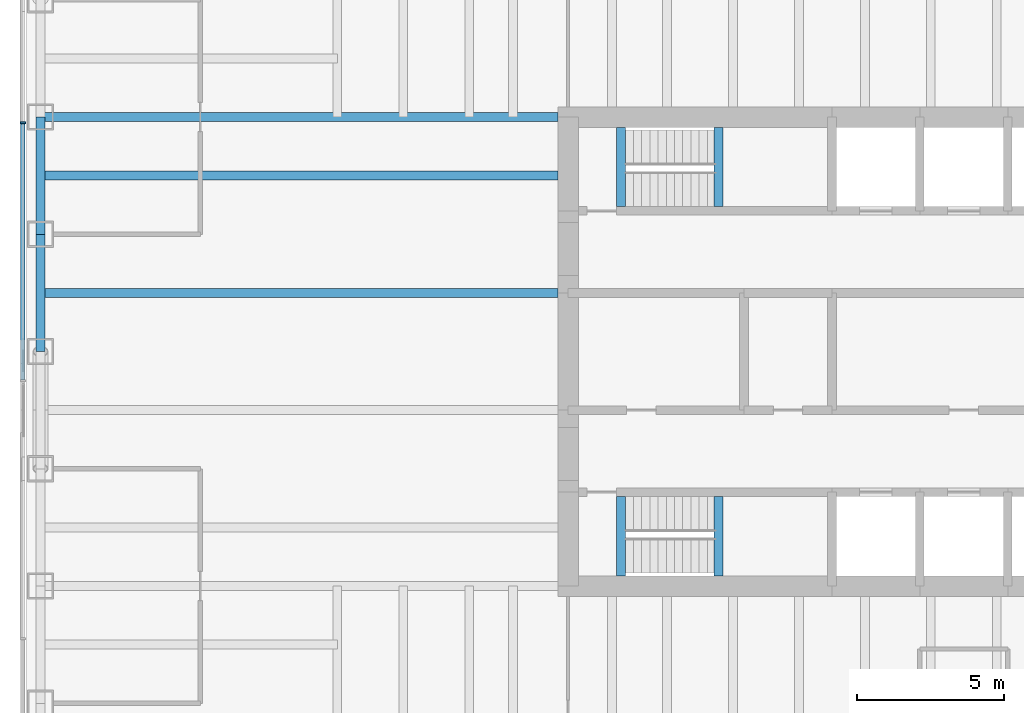
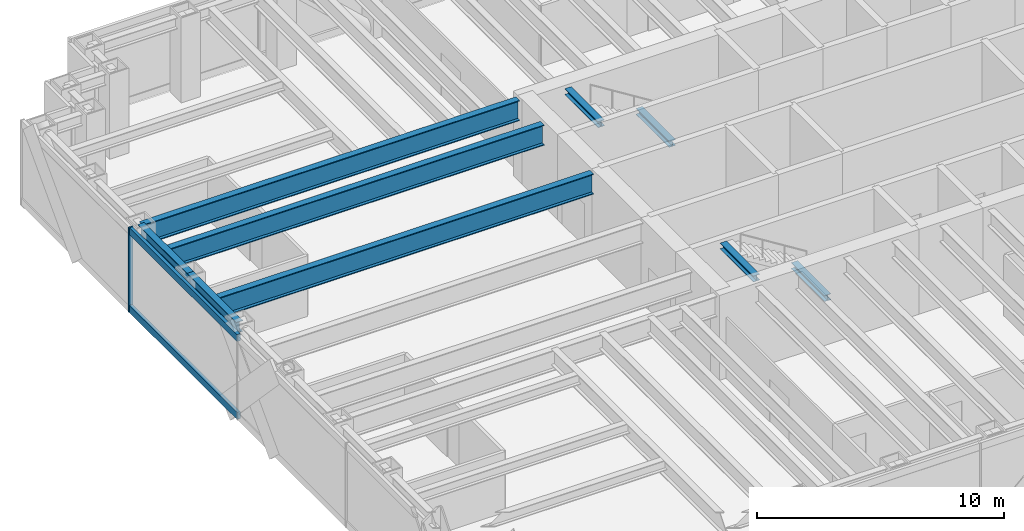
# One storey, part 3 of 15: 9 beams, 3 members, 1 element without a shape of its own.
"""IFC4 building model written with IfcOpenShell, lengths in metres."""

from ifc_helpers import new_model, si_unit, direction, frame, origin, origin_2d, place, context, subcontext, project, spatial, rectangle, i_section, extrude, material, material_profile, profile_set, type_object, element, aggregate, save


model = new_model("IFC4")

# Units and contexts
model_context = context("Model", 3, precision=1e-05, world=origin(), true_north=direction((0.0, 1.0)))
body_context = subcontext(model_context, "Body", "Model", "MODEL_VIEW")
ifc_project = project(units=[si_unit("LENGTHUNIT", "METRE"), si_unit("AREAUNIT", "SQUARE_METRE"), si_unit("VOLUMEUNIT", "CUBIC_METRE"), si_unit("PLANEANGLEUNIT", "RADIAN"), si_unit("MASSUNIT", "GRAM", prefix="KILO")], contexts=[model_context])

# Site, building, storey
site_placement = place(None, origin())
site = spatial("IfcSite", under=ifc_project, at=site_placement, CompositionType="ELEMENT")
building_placement = place(site_placement, origin())
building = spatial("IfcBuilding", under=site, at=building_placement, Name="Rheinbord Bourse Tower", CompositionType="ELEMENT")
storey_placement = place(building_placement, frame((0.0, 0.0, 292.10009765625)))
storey = spatial("IfcBuildingStorey", under=building, at=storey_placement, Name="L66", CompositionType="ELEMENT", Elevation=292.10009765625)

# Curtain wall, members
ifc_material_1 = material(Name="Dark glass and black aluminium", Category="aluminium")
curtain_wall_type = type_object("IfcCurtainWallType", Name="CW3 DARK GLASS CURTAIN WALL", PredefinedType="USERDEFINED", material=ifc_material_1)
curtain_wall_placement = place(storey_placement, origin())
curtain_wall = element("IfcCurtainWall", 1, at=curtain_wall_placement, inside=storey, type_object=curtain_wall_type, Name="Curtain wall CW3 W L66", ObjectType="UNITISED CURTAIN WALL", PredefinedType="USERDEFINED")
ifc_material_2 = material(Name="Black anodised aluminium", Category="aluminium")
ifc_material_profile_1 = material_profile(ifc_material_2, rectangle(XDim=0.199951171875, YDim=0.06494140625, at=origin_2d()), Name="CW3 MULLION 65x200")
ifc_profile_set_1 = profile_set([ifc_material_profile_1], Name="Black anodised aluminium")
member_type_1 = type_object("IfcMemberType", Name="CW3 BLACK MULLION", PredefinedType="MULLION", material=ifc_profile_set_1)
member_1_placement = place(storey_placement, frame((-0.60009765625, 31.800048828125, 0.0), z_axis=(0.0, 0.0, 1.0), x_axis=(1.0, 0.0, 0.0)))
member_1 = element("IfcMember", 2, at=member_1_placement, type_object=member_type_1, Name="CW3 mullion 2", PredefinedType="MULLION", context=body_context, shape_type="SweptSolid", body=[
    extrude(rectangle(XDim=0.199951171875, YDim=0.06494140625, at=origin_2d()), origin(), (0.0, 0.0, 1.0), 4.199951171875),
])
ifc_material_3 = material(Name="Black anodised aluminium", Category="aluminium")
ifc_material_profile_2 = material_profile(ifc_material_3, rectangle(XDim=0.14990234375, YDim=0.35009765625, at=origin_2d()), Name="CW3 TRANSOM 350x150")
ifc_profile_set_2 = profile_set([ifc_material_profile_2], Name="Black anodised aluminium")
member_type_2 = type_object("IfcMemberType", Name="CW3 BLACK TRANSOM", PredefinedType="USERDEFINED", material=ifc_profile_set_2)
member_2_placement = place(storey_placement, frame((-0.60009765625, 31.767578125, 0.1748046875), z_axis=(0.0, -1.0, 0.0), x_axis=(1.0, 0.0, 0.0)))
member_2 = element("IfcMember", 3, at=member_2_placement, type_object=member_type_2, Name="CW3 transom 2.1", ObjectType="TRANSOM", PredefinedType="USERDEFINED", context=body_context, shape_type="SweptSolid", body=[
    extrude(rectangle(XDim=0.14990234375, YDim=0.35009765625, at=origin_2d()), origin(), (0.0, 0.0, 1.0), 8.735107421875),
])
member_3_placement = place(storey_placement, frame((-0.60009765625, 31.767578125, 4.02490234375), z_axis=(0.0, -1.0, 0.0), x_axis=(1.0, 0.0, 0.0)))
member_3 = element("IfcMember", 4, at=member_3_placement, type_object=member_type_2, Name="CW3 transom 2.2", ObjectType="TRANSOM", PredefinedType="USERDEFINED", context=body_context, shape_type="SweptSolid", body=[
    extrude(rectangle(XDim=0.14990234375, YDim=0.35009765625, at=origin_2d()), origin(), (0.0, 0.0, 1.0), 8.735107421875),
])
aggregate(curtain_wall, [member_1, member_2, member_3])

# Beams
ifc_material_4 = material(Name="Steel S460", Category="steel")
ifc_material_profile_3 = material_profile(ifc_material_4, i_section(OverallWidth=0.302001953125, OverallDepth=1.008056640625, WebThickness=0.02099609375, FlangeThickness=0.0400390625, at=origin_2d()), Name="HEM 1000")
ifc_profile_set_3 = profile_set([ifc_material_profile_3], Name="Steel S460")
beam_type_1 = type_object("IfcBeamType", Name="END BEAM HEM 1000", PredefinedType="BEAM", material=ifc_profile_set_3)
for number, where, z_axis, x_axis, name in (
    (5, (0.0, 26.0, 3.535888671875), (1.0, 0.0, 0.0), (0.0, 1.0, 0.0), "End beam west 26 L67"),
    (6, (0.0, 30.0, 3.535888671875), (1.0, 0.0, 0.0), (0.0, 1.0, 0.0), "End beam west 30 L67"),
):
    element("IfcBeam", number, at=place(storey_placement, frame(where, z_axis=z_axis, x_axis=x_axis)), inside=storey, type_object=beam_type_1, Name=name, PredefinedType="BEAM", context=body_context, shape_type="SweptSolid", body=[
        extrude(i_section(OverallWidth=0.302001953125, OverallDepth=1.008056640625, WebThickness=0.02099609375, FlangeThickness=0.0400390625, at=origin_2d()), origin(), (0.0, 0.0, 1.0), 17.64990234375),
    ])
ifc_material_5 = material(Name="Steel S460", Category="steel")
ifc_material_profile_4 = material_profile(ifc_material_5, i_section(OverallWidth=0.302001953125, OverallDepth=1.008056640625, WebThickness=0.02099609375, FlangeThickness=0.0400390625, at=origin_2d()), Name="HEM 1000")
ifc_profile_set_4 = profile_set([ifc_material_profile_4], Name="Steel S460")
beam_type_2 = type_object("IfcBeamType", Name="GIRDER HEM 1000", PredefinedType="BEAM", material=ifc_profile_set_4)
beam_placement = place(storey_placement, frame((0.0, 32.0, 3.535888671875), z_axis=(1.0, 0.0, 0.0), x_axis=(0.0, 1.0, 0.0)))
element("IfcBeam", 7, at=beam_placement, inside=storey, type_object=beam_type_2, Name="Girder west 32 L67", PredefinedType="BEAM", context=body_context, shape_type="SweptSolid", body=[
    extrude(i_section(OverallWidth=0.302001953125, OverallDepth=1.008056640625, WebThickness=0.02099609375, FlangeThickness=0.0400390625, at=origin_2d()), origin(), (0.0, 0.0, 1.0), 17.64990234375),
])
ifc_material_6 = material(Name="Steel S460", Category="steel")
ifc_material_profile_5 = material_profile(ifc_material_6, i_section(OverallWidth=0.300048828125, OverallDepth=0.300048828125, WebThickness=0.010986328125, FlangeThickness=0.01904296875, at=origin_2d()), Name="HEB 300")
ifc_profile_set_5 = profile_set([ifc_material_profile_5], Name="Steel S460")
beam_type_3 = type_object("IfcBeamType", Name="LANDING TRIMMER HEB 300", PredefinedType="BEAM", material=ifc_profile_set_5)
for number, where, z_axis, x_axis, name in (
    (8, (23.1298828125, 16.35009765625, 1.75), (0.0, 1.0, 0.0), (-1.0, 0.0, 0.0), "Landing trimmer ST1 L66"),
    (9, (19.800048828125, 16.35009765625, 3.889892578125), (0.0, 1.0, 0.0), (-1.0, 0.0, 0.0), "Well trimmer ST1 under L67"),
    (10, (23.1298828125, 28.949951171875, 1.75), (0.0, 1.0, 0.0), (-1.0, 0.0, 0.0), "Landing trimmer ST2 L66"),
    (11, (19.800048828125, 28.949951171875, 3.889892578125), (0.0, 1.0, 0.0), (-1.0, 0.0, 0.0), "Well trimmer ST2 under L67"),
):
    element("IfcBeam", number, at=place(storey_placement, frame(where, z_axis=z_axis, x_axis=x_axis)), inside=storey, type_object=beam_type_3, Name=name, PredefinedType="BEAM", context=body_context, shape_type="SweptSolid", body=[
        extrude(i_section(OverallWidth=0.300048828125, OverallDepth=0.300048828125, WebThickness=0.010986328125, FlangeThickness=0.01904296875, at=origin_2d()), origin(), (0.0, 0.0, 1.0), 2.699951171875),
    ])
ifc_material_7 = material(Name="Steel S460", Category="steel")
ifc_material_profile_6 = material_profile(ifc_material_7, i_section(OverallWidth=0.300048828125, OverallDepth=0.550048828125, WebThickness=0.014892578125, FlangeThickness=0.029052734375, at=origin_2d()), Name="HEB 550")
ifc_profile_set_6 = profile_set([ifc_material_profile_6], Name="Steel S460")
beam_type_4 = type_object("IfcBeamType", Name="SPANDREL HEB 550", PredefinedType="SPANDREL", material=ifc_profile_set_6)
for number, where, z_axis, x_axis, name in (
    (12, (0.0, 32.0, 3.764892578125), (0.0, -1.0, 0.0), (1.0, 0.0, 0.0), "Spandrel W-32-W-28 under L67"),
    (13, (0.0, 28.0, 3.764892578125), (0.0, -1.0, 0.0), (1.0, 0.0, 0.0), "Spandrel W-28-W-24 under L67"),
):
    element("IfcBeam", number, at=place(storey_placement, frame(where, z_axis=z_axis, x_axis=x_axis)), inside=storey, type_object=beam_type_4, Name=name, PredefinedType="SPANDREL", context=body_context, shape_type="SweptSolid", body=[
        extrude(i_section(OverallWidth=0.300048828125, OverallDepth=0.550048828125, WebThickness=0.014892578125, FlangeThickness=0.029052734375, at=origin_2d()), origin(), (0.0, 0.0, 1.0), 4.0),
    ])

save(model, "model.ifc")
